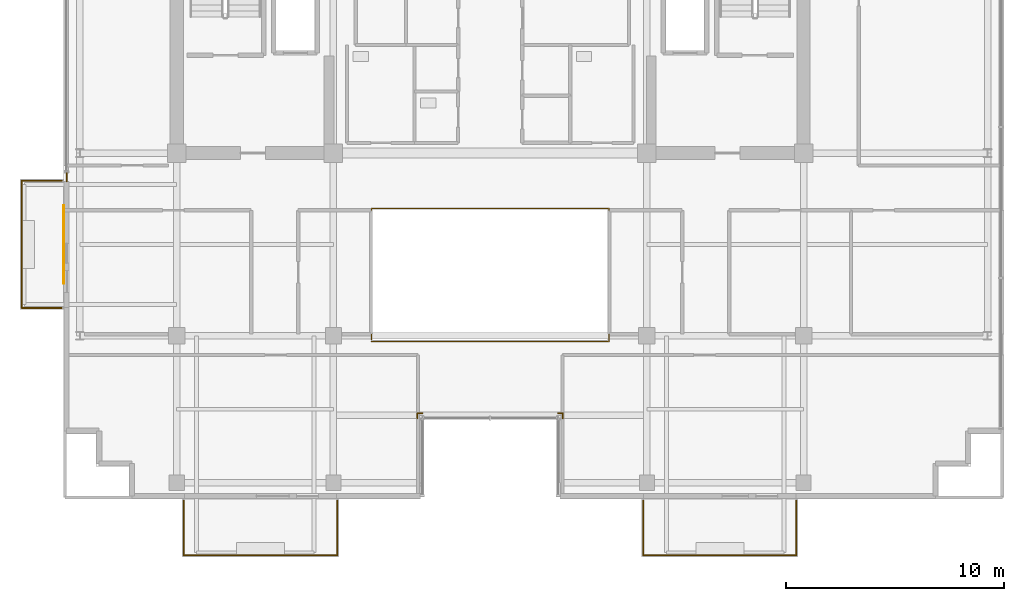
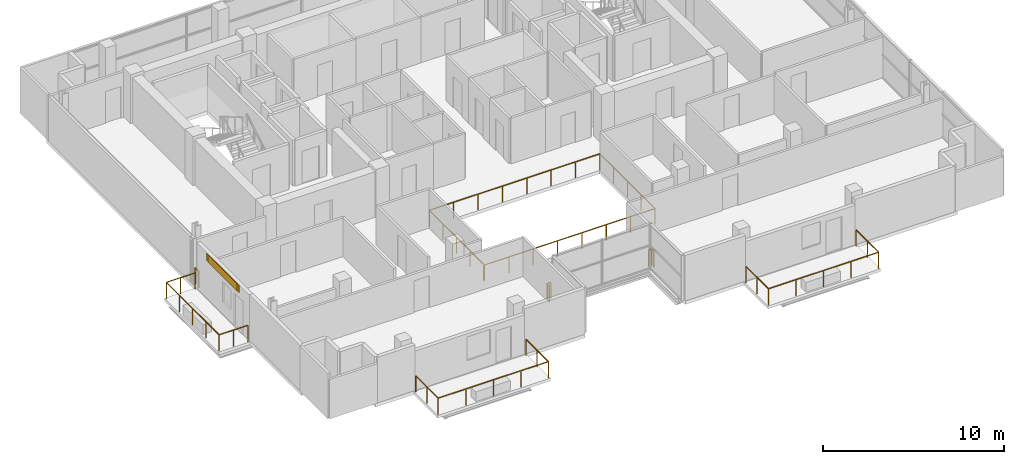
# One storey, part 19 of 21: 9 railings, 1 covering, 1 shading device.
"""IFC4 building model written with IfcOpenShell, lengths in metres."""

from ifc_helpers import new_model, si_unit, direction, frame, origin, origin_2d, place, context, subcontext, project, spatial, rectangle, extrude, source, transform, mapped, material, layer, layer_set, type_object, element, save


model = new_model("IFC4")

# Units and contexts
model_context = context("Model", 3, precision=1e-05, world=origin(), true_north=direction((0.0, 1.0)))
body_context = subcontext(model_context, "Body", "Model", "MODEL_VIEW")
ifc_project = project(units=[si_unit("LENGTHUNIT", "METRE"), si_unit("AREAUNIT", "SQUARE_METRE"), si_unit("VOLUMEUNIT", "CUBIC_METRE"), si_unit("PLANEANGLEUNIT", "RADIAN"), si_unit("MASSUNIT", "GRAM", prefix="KILO")], contexts=[model_context])

# Site, building, storey
site_placement = place(None, origin())
site = spatial("IfcSite", under=ifc_project, at=site_placement, CompositionType="ELEMENT")
building_placement = place(site_placement, origin())
building = spatial("IfcBuilding", under=site, at=building_placement, Name="Zarnakvel Exchange Tower", CompositionType="ELEMENT")
storey_placement = place(building_placement, frame((0.0, 0.0, 241.89990234375)))
storey = spatial("IfcBuildingStorey", under=building, at=storey_placement, Name="L68", CompositionType="ELEMENT", Elevation=241.89990234375)

# Railings
ifc_material_1 = material(Name="Architectural Bronze Anodised Aluminium", Category="aluminium")
railing_type_1 = type_object("IfcRailingType", Name="GR-02", PredefinedType="GUARDRAIL", material=ifc_material_1)
railing_1_placement = place(storey_placement, frame((-14.070068359375, -17.179931640625, -0.034912109375)))
element("IfcRailing", 1, at=railing_1_placement, inside=storey, type_object=railing_type_1, Name="L68 Balcony Guardrail BAL-L68-SW", PredefinedType="GUARDRAIL", context=body_context, shape_type="SweptSolid", body=[
    extrude(rectangle(XDim=0.048095703125, YDim=0.048095703125, at=origin_2d()), frame((0.0, 0.0, 1.09619140625), z_axis=(0.0, -1.0, 0.0), x_axis=(1.0, 0.0, 0.0)), (0.0, 0.0, 1.0), 2.489990234375),
    extrude(rectangle(XDim=0.048095703125, YDim=0.048095703125, at=origin_2d()), frame((0.0, -2.489990234375, 1.09619140625), z_axis=(1.0, 0.0, 0.0), x_axis=(0.0, 1.0, 0.0)), (0.0, 0.0, 1.0), 7.0400390625),
    extrude(rectangle(XDim=0.048095703125, YDim=0.048095703125, at=origin_2d()), frame((7.0400390625, -2.489990234375, 1.09619140625), z_axis=(0.0, 1.0, 0.0), x_axis=(-1.0, 0.0, 0.0)), (0.0, 0.0, 1.0), 2.489990234375),
    extrude(rectangle(XDim=0.0419921875, YDim=0.0419921875, at=origin_2d()), origin(), (0.0, 0.0, 1.0), 1.072021484375),
    extrude(rectangle(XDim=0.0419921875, YDim=0.0419921875, at=origin_2d()), frame((0.0, -1.2451171875, 0.0)), (0.0, 0.0, 1.0), 1.072021484375),
    extrude(rectangle(XDim=0.0419921875, YDim=0.0419921875, at=origin_2d()), frame((0.0, -2.489990234375, 0.0)), (0.0, 0.0, 1.0), 1.072021484375),
    extrude(rectangle(XDim=0.0419921875, YDim=0.0419921875, at=origin_2d()), frame((1.760009765625, -2.489990234375, 0.0)), (0.0, 0.0, 1.0), 1.072021484375),
    extrude(rectangle(XDim=0.0419921875, YDim=0.0419921875, at=origin_2d()), frame((3.52001953125, -2.489990234375, 0.0)), (0.0, 0.0, 1.0), 1.072021484375),
    extrude(rectangle(XDim=0.0419921875, YDim=0.0419921875, at=origin_2d()), frame((5.280029296875, -2.489990234375, 0.0)), (0.0, 0.0, 1.0), 1.072021484375),
    extrude(rectangle(XDim=0.0419921875, YDim=0.0419921875, at=origin_2d()), frame((7.0400390625, -2.489990234375, 0.0)), (0.0, 0.0, 1.0), 1.072021484375),
    extrude(rectangle(XDim=0.0419921875, YDim=0.0419921875, at=origin_2d()), frame((7.0400390625, -1.2451171875, 0.0)), (0.0, 0.0, 1.0), 1.072021484375),
    extrude(rectangle(XDim=0.0419921875, YDim=0.0419921875, at=origin_2d()), frame((7.0400390625, 0.0, 0.0)), (0.0, 0.0, 1.0), 1.072021484375),
])
railing_2_placement = place(storey_placement, frame((7.030029296875, -17.179931640625, -0.034912109375)))
element("IfcRailing", 2, at=railing_2_placement, inside=storey, type_object=railing_type_1, Name="L68 Balcony Guardrail BAL-L68-SE", PredefinedType="GUARDRAIL", context=body_context, shape_type="SweptSolid", body=[
    extrude(rectangle(XDim=0.048095703125, YDim=0.048095703125, at=origin_2d()), frame((0.0, 0.0, 1.09619140625), z_axis=(0.0, -1.0, 0.0), x_axis=(1.0, 0.0, 0.0)), (0.0, 0.0, 1.0), 2.489990234375),
    extrude(rectangle(XDim=0.048095703125, YDim=0.048095703125, at=origin_2d()), frame((0.0, -2.489990234375, 1.09619140625), z_axis=(1.0, 0.0, 0.0), x_axis=(0.0, 1.0, 0.0)), (0.0, 0.0, 1.0), 7.0400390625),
    extrude(rectangle(XDim=0.048095703125, YDim=0.048095703125, at=origin_2d()), frame((7.0400390625, -2.489990234375, 1.09619140625), z_axis=(0.0, 1.0, 0.0), x_axis=(-1.0, 0.0, 0.0)), (0.0, 0.0, 1.0), 2.489990234375),
    extrude(rectangle(XDim=0.0419921875, YDim=0.0419921875, at=origin_2d()), origin(), (0.0, 0.0, 1.0), 1.072021484375),
    extrude(rectangle(XDim=0.0419921875, YDim=0.0419921875, at=origin_2d()), frame((0.0, -1.2451171875, 0.0)), (0.0, 0.0, 1.0), 1.072021484375),
    extrude(rectangle(XDim=0.0419921875, YDim=0.0419921875, at=origin_2d()), frame((0.0, -2.489990234375, 0.0)), (0.0, 0.0, 1.0), 1.072021484375),
    extrude(rectangle(XDim=0.0419921875, YDim=0.0419921875, at=origin_2d()), frame((1.760009765625, -2.489990234375, 0.0)), (0.0, 0.0, 1.0), 1.072021484375),
    extrude(rectangle(XDim=0.0419921875, YDim=0.0419921875, at=origin_2d()), frame((3.52001953125, -2.489990234375, 0.0)), (0.0, 0.0, 1.0), 1.072021484375),
    extrude(rectangle(XDim=0.0419921875, YDim=0.0419921875, at=origin_2d()), frame((5.280029296875, -2.489990234375, 0.0)), (0.0, 0.0, 1.0), 1.072021484375),
    extrude(rectangle(XDim=0.0419921875, YDim=0.0419921875, at=origin_2d()), frame((7.0400390625, -2.489990234375, 0.0)), (0.0, 0.0, 1.0), 1.072021484375),
    extrude(rectangle(XDim=0.0419921875, YDim=0.0419921875, at=origin_2d()), frame((7.0400390625, -1.2451171875, 0.0)), (0.0, 0.0, 1.0), 1.072021484375),
    extrude(rectangle(XDim=0.0419921875, YDim=0.0419921875, at=origin_2d()), frame((7.0400390625, 0.0, 0.0)), (0.0, 0.0, 1.0), 1.072021484375),
])
railing_3_placement = place(storey_placement, frame((-19.679931640625, -8.320068359375, -0.034912109375)))
element("IfcRailing", 3, at=railing_3_placement, inside=storey, type_object=railing_type_1, Name="L68 Balcony Guardrail BAL-L68-W", PredefinedType="GUARDRAIL", context=body_context, shape_type="SweptSolid", body=[
    extrude(rectangle(XDim=0.048095703125, YDim=0.048095703125, at=origin_2d()), frame((0.0, 0.0, 1.09619140625), z_axis=(-1.0, 0.0, 0.0), x_axis=(0.0, -1.0, 0.0)), (0.0, 0.0, 1.0), 1.840087890625),
    extrude(rectangle(XDim=0.048095703125, YDim=0.048095703125, at=origin_2d()), frame((-1.840087890625, 0.0, 1.09619140625), z_axis=(0.0, 1.0, 0.0), x_axis=(-1.0, 0.0, 0.0)), (0.0, 0.0, 1.0), 5.840087890625),
    extrude(rectangle(XDim=0.048095703125, YDim=0.048095703125, at=origin_2d()), frame((-1.840087890625, 5.840087890625, 1.09619140625), z_axis=(1.0, 0.0, 0.0), x_axis=(0.0, 1.0, 0.0)), (0.0, 0.0, 1.0), 1.840087890625),
    extrude(rectangle(XDim=0.0419921875, YDim=0.0419921875, at=origin_2d()), origin(), (0.0, 0.0, 1.0), 1.072021484375),
    extrude(rectangle(XDim=0.0419921875, YDim=0.0419921875, at=origin_2d()), frame((-0.919921875, 0.0, 0.0)), (0.0, 0.0, 1.0), 1.072021484375),
    extrude(rectangle(XDim=0.0419921875, YDim=0.0419921875, at=origin_2d()), frame((-1.840087890625, 0.0, 0.0)), (0.0, 0.0, 1.0), 1.072021484375),
    extrude(rectangle(XDim=0.0419921875, YDim=0.0419921875, at=origin_2d()), frame((-1.840087890625, 1.4599609375, 0.0)), (0.0, 0.0, 1.0), 1.072021484375),
    extrude(rectangle(XDim=0.0419921875, YDim=0.0419921875, at=origin_2d()), frame((-1.840087890625, 2.919921875, 0.0)), (0.0, 0.0, 1.0), 1.072021484375),
    extrude(rectangle(XDim=0.0419921875, YDim=0.0419921875, at=origin_2d()), frame((-1.840087890625, 4.380126953125, 0.0)), (0.0, 0.0, 1.0), 1.072021484375),
    extrude(rectangle(XDim=0.0419921875, YDim=0.0419921875, at=origin_2d()), frame((-1.840087890625, 5.840087890625, 0.0)), (0.0, 0.0, 1.0), 1.072021484375),
    extrude(rectangle(XDim=0.0419921875, YDim=0.0419921875, at=origin_2d()), frame((-0.919921875, 5.840087890625, 0.0)), (0.0, 0.0, 1.0), 1.072021484375),
    extrude(rectangle(XDim=0.0419921875, YDim=0.0419921875, at=origin_2d()), frame((0.0, 5.840087890625, 0.0)), (0.0, 0.0, 1.0), 1.072021484375),
])
railing_4_placement = place(storey_placement, frame((-19.4599609375, -2.5, 0.0)))
element("IfcRailing", 4, at=railing_4_placement, inside=storey, type_object=railing_type_1, Name="L68 Corner Spandrel Balustrade #2", PredefinedType="GUARDRAIL", context=body_context, shape_type="SweptSolid", body=[
    extrude(rectangle(XDim=0.048095703125, YDim=0.048095703125, at=origin_2d()), frame((0.0, 0.0, 1.09619140625), z_axis=(0.0, 1.0, 0.0), x_axis=(-1.0, 0.0, 0.0)), (0.0, 0.0, 1.0), 0.39990234375),
    extrude(rectangle(XDim=0.0419921875, YDim=0.0419921875, at=origin_2d()), origin(), (0.0, 0.0, 1.0), 1.072021484375),
    extrude(rectangle(XDim=0.0419921875, YDim=0.0419921875, at=origin_2d()), frame((0.0, 0.39990234375, 0.0)), (0.0, 0.0, 1.0), 1.072021484375),
])
railing_5_placement = place(storey_placement, frame((3.340087890625, -13.3798828125, 0.0)))
element("IfcRailing", 5, at=railing_5_placement, inside=storey, type_object=railing_type_1, Name="L68 Corner Spandrel Balustrade #17", PredefinedType="GUARDRAIL", context=body_context, shape_type="SweptSolid", body=[
    extrude(rectangle(XDim=0.048095703125, YDim=0.048095703125, at=origin_2d()), frame((0.0, 0.0, 1.09619140625), z_axis=(0.0, 1.0, 0.0), x_axis=(-1.0, 0.0, 0.0)), (0.0, 0.0, 1.0), 0.219970703125),
    extrude(rectangle(XDim=0.0419921875, YDim=0.0419921875, at=origin_2d()), origin(), (0.0, 0.0, 1.0), 1.072021484375),
    extrude(rectangle(XDim=0.0419921875, YDim=0.0419921875, at=origin_2d()), frame((0.0, 0.219970703125, 0.0)), (0.0, 0.0, 1.0), 1.072021484375),
])
for number, where, name in (
    (6, (3.340087890625, -13.159912109375, 0.0), "L68 Corner Spandrel Balustrade #18"),
    (7, (-3.1201171875, -13.159912109375, 0.0), "L68 Corner Spandrel Balustrade #19"),
):
    element("IfcRailing", number, at=place(storey_placement, frame(where)), inside=storey, type_object=railing_type_1, Name=name, PredefinedType="GUARDRAIL", context=body_context, shape_type="SweptSolid", body=[
        extrude(rectangle(XDim=0.048095703125, YDim=0.048095703125, at=origin_2d()), frame((0.0, 0.0, 1.09619140625), z_axis=(-1.0, 0.0, 0.0), x_axis=(0.0, -1.0, 0.0)), (0.0, 0.0, 1.0), 0.219970703125),
        extrude(rectangle(XDim=0.0419921875, YDim=0.0419921875, at=origin_2d()), origin(), (0.0, 0.0, 1.0), 1.072021484375),
        extrude(rectangle(XDim=0.0419921875, YDim=0.0419921875, at=origin_2d()), frame((-0.219970703125, 0.0, 0.0)), (0.0, 0.0, 1.0), 1.072021484375),
    ])
railing_6_placement = place(storey_placement, frame((-3.340087890625, -13.159912109375, 0.0)))
element("IfcRailing", 8, at=railing_6_placement, inside=storey, type_object=railing_type_1, Name="L68 Corner Spandrel Balustrade #20", PredefinedType="GUARDRAIL", context=body_context, shape_type="SweptSolid", body=[
    extrude(rectangle(XDim=0.048095703125, YDim=0.048095703125, at=origin_2d()), frame((0.0, 0.0, 1.09619140625), z_axis=(0.0, -1.0, 0.0), x_axis=(1.0, 0.0, 0.0)), (0.0, 0.0, 1.0), 0.219970703125),
    extrude(rectangle(XDim=0.0419921875, YDim=0.0419921875, at=origin_2d()), origin(), (0.0, 0.0, 1.0), 1.072021484375),
    extrude(rectangle(XDim=0.0419921875, YDim=0.0419921875, at=origin_2d()), frame((0.0, -0.219970703125, 0.0)), (0.0, 0.0, 1.0), 1.072021484375),
])
railing_type_2 = type_object("IfcRailingType", Name="GR-03", PredefinedType="GUARDRAIL", material=ifc_material_1)
railing_7_placement = place(storey_placement, frame((-5.449951171875, -9.85009765625, 0.0)))
element("IfcRailing", 9, at=railing_7_placement, inside=storey, type_object=railing_type_2, Name="L68 Atrium Void Perimeter Balustrade", PredefinedType="GUARDRAIL", context=body_context, shape_type="SweptSolid", body=[
    extrude(rectangle(XDim=0.048095703125, YDim=0.048095703125, at=origin_2d()), frame((0.0, 0.0, 1.076171875), z_axis=(1.0, 0.0, 0.0), x_axis=(0.0, 1.0, 0.0)), (0.0, 0.0, 1.0), 10.89990234375),
    extrude(rectangle(XDim=0.048095703125, YDim=0.048095703125, at=origin_2d()), frame((10.89990234375, 0.0, 1.076171875), z_axis=(0.0, 1.0, 0.0), x_axis=(-1.0, 0.0, 0.0)), (0.0, 0.0, 1.0), 6.10009765625),
    extrude(rectangle(XDim=0.048095703125, YDim=0.048095703125, at=origin_2d()), frame((10.89990234375, 6.10009765625, 1.076171875), z_axis=(-1.0, 0.0, 0.0), x_axis=(0.0, -1.0, 0.0)), (0.0, 0.0, 1.0), 10.89990234375),
    extrude(rectangle(XDim=0.048095703125, YDim=0.048095703125, at=origin_2d()), frame((0.0, 6.10009765625, 1.076171875), z_axis=(0.0, -1.0, 0.0), x_axis=(1.0, 0.0, 0.0)), (0.0, 0.0, 1.0), 6.02001953125),
    extrude(rectangle(XDim=0.0419921875, YDim=0.0419921875, at=origin_2d()), origin(), (0.0, 0.0, 1.0), 1.052001953125),
    extrude(rectangle(XDim=0.0419921875, YDim=0.0419921875, at=origin_2d()), frame((1.55712890625, 0.0, 0.0)), (0.0, 0.0, 1.0), 1.052001953125),
    extrude(rectangle(XDim=0.0419921875, YDim=0.0419921875, at=origin_2d()), frame((3.1142578125, 0.0, 0.0)), (0.0, 0.0, 1.0), 1.052001953125),
    extrude(rectangle(XDim=0.0419921875, YDim=0.0419921875, at=origin_2d()), frame((4.67138671875, 0.0, 0.0)), (0.0, 0.0, 1.0), 1.052001953125),
    extrude(rectangle(XDim=0.0419921875, YDim=0.0419921875, at=origin_2d()), frame((6.228515625, 0.0, 0.0)), (0.0, 0.0, 1.0), 1.052001953125),
    extrude(rectangle(XDim=0.0419921875, YDim=0.0419921875, at=origin_2d()), frame((7.78564453125, 0.0, 0.0)), (0.0, 0.0, 1.0), 1.052001953125),
    extrude(rectangle(XDim=0.0419921875, YDim=0.0419921875, at=origin_2d()), frame((9.3427734375, 0.0, 0.0)), (0.0, 0.0, 1.0), 1.052001953125),
    extrude(rectangle(XDim=0.0419921875, YDim=0.0419921875, at=origin_2d()), frame((10.89990234375, 0.0, 0.0)), (0.0, 0.0, 1.0), 1.052001953125),
    extrude(rectangle(XDim=0.0419921875, YDim=0.0419921875, at=origin_2d()), frame((10.89990234375, 1.52490234375, 0.0)), (0.0, 0.0, 1.0), 1.052001953125),
    extrude(rectangle(XDim=0.0419921875, YDim=0.0419921875, at=origin_2d()), frame((10.89990234375, 3.050048828125, 0.0)), (0.0, 0.0, 1.0), 1.052001953125),
    extrude(rectangle(XDim=0.0419921875, YDim=0.0419921875, at=origin_2d()), frame((10.89990234375, 4.5751953125, 0.0)), (0.0, 0.0, 1.0), 1.052001953125),
    extrude(rectangle(XDim=0.0419921875, YDim=0.0419921875, at=origin_2d()), frame((10.89990234375, 6.10009765625, 0.0)), (0.0, 0.0, 1.0), 1.052001953125),
    extrude(rectangle(XDim=0.0419921875, YDim=0.0419921875, at=origin_2d()), frame((9.3427734375, 6.10009765625, 0.0)), (0.0, 0.0, 1.0), 1.052001953125),
    extrude(rectangle(XDim=0.0419921875, YDim=0.0419921875, at=origin_2d()), frame((7.78564453125, 6.10009765625, 0.0)), (0.0, 0.0, 1.0), 1.052001953125),
    extrude(rectangle(XDim=0.0419921875, YDim=0.0419921875, at=origin_2d()), frame((6.228515625, 6.10009765625, 0.0)), (0.0, 0.0, 1.0), 1.052001953125),
    extrude(rectangle(XDim=0.0419921875, YDim=0.0419921875, at=origin_2d()), frame((4.67138671875, 6.10009765625, 0.0)), (0.0, 0.0, 1.0), 1.052001953125),
    extrude(rectangle(XDim=0.0419921875, YDim=0.0419921875, at=origin_2d()), frame((3.1142578125, 6.10009765625, 0.0)), (0.0, 0.0, 1.0), 1.052001953125),
    extrude(rectangle(XDim=0.0419921875, YDim=0.0419921875, at=origin_2d()), frame((1.55712890625, 6.10009765625, 0.0)), (0.0, 0.0, 1.0), 1.052001953125),
    extrude(rectangle(XDim=0.0419921875, YDim=0.0419921875, at=origin_2d()), frame((0.0, 6.10009765625, 0.0)), (0.0, 0.0, 1.0), 1.052001953125),
    extrude(rectangle(XDim=0.0419921875, YDim=0.0419921875, at=origin_2d()), frame((0.0, 4.59521484375, 0.0)), (0.0, 0.0, 1.0), 1.052001953125),
    extrude(rectangle(XDim=0.0419921875, YDim=0.0419921875, at=origin_2d()), frame((0.0, 3.090087890625, 0.0)), (0.0, 0.0, 1.0), 1.052001953125),
    extrude(rectangle(XDim=0.0419921875, YDim=0.0419921875, at=origin_2d()), frame((0.0, 1.5849609375, 0.0)), (0.0, 0.0, 1.0), 1.052001953125),
    extrude(rectangle(XDim=0.0419921875, YDim=0.0419921875, at=origin_2d()), frame((0.0, 0.080078125, 0.0)), (0.0, 0.0, 1.0), 1.052001953125),
])

# Shading device
ifc_material_2 = material(Name="Perforated Architectural Bronze Screen", Category="aluminium")
ifc_layer_1 = layer(ifc_material_2, 0.044921875)
ifc_layer_set_1 = layer_set([ifc_layer_1], Name="Perforated Architectural Bronze Screen")
shading_device_type = type_object("IfcShadingDeviceType", Name="SS-01", PredefinedType="JALOUSIE", material=ifc_layer_set_1)
shared_shape_1 = source(origin(), body_context, "Body", "SweptSolid", [
    extrude(rectangle(XDim=3.199951171875, YDim=0.044921875, at=origin_2d()), origin(), (0.0, 0.0, 1.0), 0.4951171875),
])
shading_device_placement = place(storey_placement, frame((-19.6005859375, -5.39990234375, 2.56005859375), z_axis=(0.0, 0.0, 1.0), x_axis=(0.0, 1.0, 0.0)))
element("IfcShadingDevice", 10, at=shading_device_placement, inside=storey, type_object=shading_device_type, Name="L68 Bronze Solar Shading Screen SS-01", PredefinedType="JALOUSIE", context=body_context, shape_type="MappedRepresentation", body=[
    mapped(shared_shape_1, transform((0.0, 0.0, 0.0), x_axis=(1.0, 0.0, 0.0), y_axis=(0.0, 1.0, 0.0), z_axis=(0.0, 0.0, 1.0), scale=1.0)),
])

# Covering
ifc_material_3 = material(Name="Glazed Turquoise Ceramic Architectural Tile", Category="ceramic")
ifc_layer_2 = layer(ifc_material_3, 0.028076171875)
ifc_layer_set_2 = layer_set([ifc_layer_2], Name="Glazed Turquoise Ceramic Architectural Tile")
covering_type = type_object("IfcCoveringType", Name="CL-01", PredefinedType="CLADDING", material=ifc_layer_set_2)
shared_shape_2 = source(origin(), body_context, "Body", "SweptSolid", [
    extrude(rectangle(XDim=3.60009765625, YDim=0.028076171875, at=origin_2d()), origin(), (0.0, 0.0, 1.0), 0.4951171875),
])
covering_placement = place(storey_placement, frame((-19.592041015625, -5.39990234375, 2.56005859375), z_axis=(0.0, 0.0, 1.0), x_axis=(0.0, 1.0, 0.0)))
element("IfcCovering", 11, at=covering_placement, inside=storey, type_object=covering_type, Name="L68 Ceramic Spandrel Tilework CL-01", PredefinedType="CLADDING", context=body_context, shape_type="MappedRepresentation", body=[
    mapped(shared_shape_2, transform((0.0, 0.0, 0.0), x_axis=(1.0, 0.0, 0.0), y_axis=(0.0, 1.0, 0.0), z_axis=(0.0, 0.0, 1.0), scale=1.0)),
])

save(model, "model.ifc")
